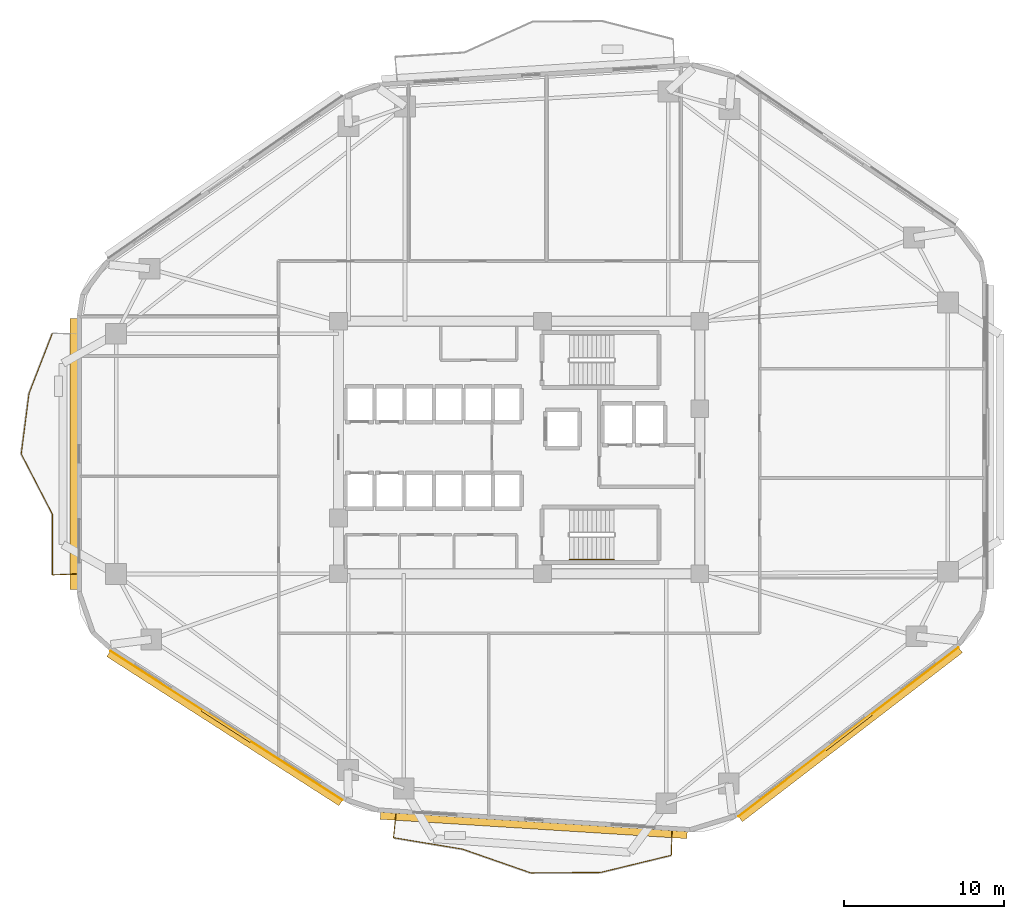
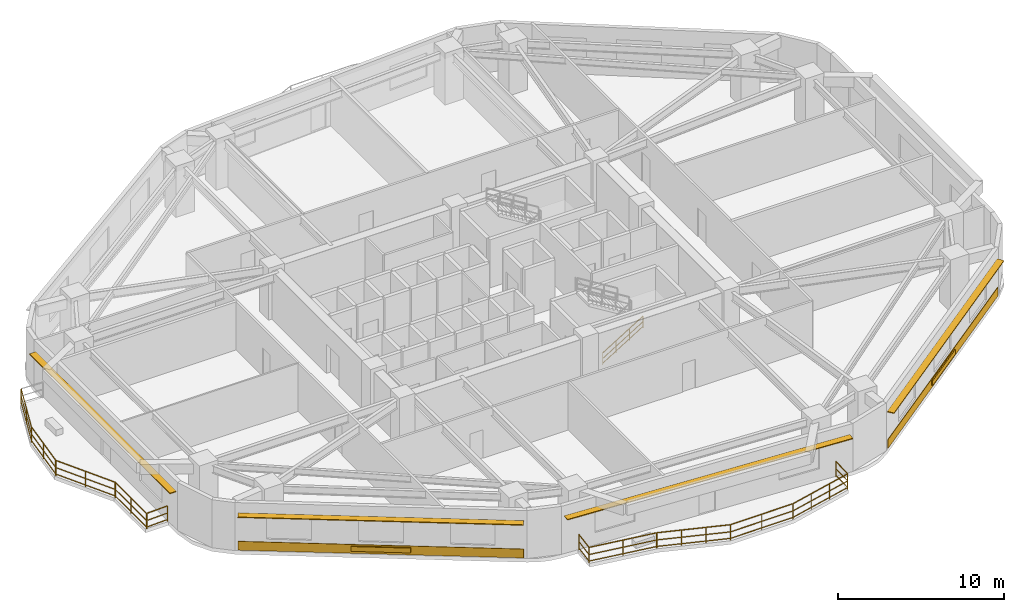
# One storey, part 7 of 9: 12 railings, 6 shading devices, 2 coverings.
"""IFC4 building model written with IfcOpenShell, lengths in metres."""

from ifc_helpers import new_model, si_unit, direction, frame, origin, origin_2d, place, context, subcontext, project, spatial, rectangle, extrude, material, layer, layer_set, type_object, element, save


model = new_model("IFC4")

# Units and contexts
model_context = context("Model", 3, precision=1e-05, world=origin(), true_north=direction((0.0, 1.0)))
body_context = subcontext(model_context, "Body", "Model", "MODEL_VIEW")
ifc_project = project(units=[si_unit("LENGTHUNIT", "METRE"), si_unit("AREAUNIT", "SQUARE_METRE"), si_unit("VOLUMEUNIT", "CUBIC_METRE"), si_unit("PLANEANGLEUNIT", "RADIAN"), si_unit("MASSUNIT", "GRAM", prefix="KILO")], contexts=[model_context])

# Site, building, storey
site_placement = place(None, origin())
site = spatial("IfcSite", under=ifc_project, at=site_placement, CompositionType="ELEMENT")
building_placement = place(site_placement, origin())
building = spatial("IfcBuilding", under=site, at=building_placement, Name="Zulverin Broadcast Headquarters", CompositionType="ELEMENT")
storey_placement = place(building_placement, frame((0.0, 0.0, 51.60009765625)))
storey = spatial("IfcBuildingStorey", under=building, at=storey_placement, Name="L12", CompositionType="ELEMENT", Elevation=51.60009765625)

# Coverings
ifc_material_1 = material(Name="Brushed pale-aluminium rainscreen cladding", Category="aluminium")
ifc_layer_1 = layer(ifc_material_1, 0.0400390625, Name="Brushed pale-aluminium rainscreen cladding", Category="aluminium")
ifc_layer_set_1 = layer_set([ifc_layer_1], Name="Brushed pale-aluminium rainscreen cladding")
covering_type = type_object("IfcCoveringType", Name="COV-CLAD-PALE", PredefinedType="CLADDING", material=ifc_layer_set_1)
covering_1_placement = place(storey_placement, frame((57.542724609375, 7.448974609375, 0.054931640625), z_axis=(0.0, 0.0, 1.0), x_axis=(0.792933468586, 0.609308226102, 0.0)))
element("IfcCovering", 1, at=covering_1_placement, inside=storey, type_object=covering_type, Name="L12 Brushed Pale-Aluminium Spandrel Cladding 2", PredefinedType="CLADDING", context=body_context, shape_type="SweptSolid", body=[
    extrude(rectangle(XDim=17.312744140625, YDim=0.0400390625, at=origin_2d()), origin(), (0.0, 0.0, 1.0), 0.64990234375),
])
covering_2_placement = place(storey_placement, frame((18.732666015625, 7.84130859375, 0.054931640625), z_axis=(0.0, 0.0, 1.0), x_axis=(0.841296678234, -0.540573676007, 0.0)))
element("IfcCovering", 2, at=covering_2_placement, inside=storey, type_object=covering_type, Name="L12 Brushed Pale-Aluminium Spandrel Cladding 8", PredefinedType="CLADDING", context=body_context, shape_type="SweptSolid", body=[
    extrude(rectangle(XDim=17.2119140625, YDim=0.0400390625, at=origin_2d()), origin(), (0.0, 0.0, 1.0), 0.64990234375),
])

# Railings
ifc_material_2 = material(Name="Brushed stainless steel & laminated glass balustrade", Category="steel")
railing_type_1 = type_object("IfcRailingType", Name="RL-GUARD-1150", PredefinedType="GUARDRAIL", material=ifc_material_2)
railing_1_placement = place(storey_placement, frame((7.87451171875, 32.330322265625, 0.0)))
element("IfcRailing", 3, at=railing_1_placement, inside=storey, type_object=railing_type_1, Name="L12 Vertical-Forest Balcony Guardrail BAL_W Segment 02", PredefinedType="GUARDRAIL", context=body_context, shape_type="SweptSolid", body=[
    extrude(rectangle(XDim=0.048095703125, YDim=0.048095703125, at=origin_2d()), frame((0.0, 0.0, 1.1259765625), z_axis=(-0.361936205259, -0.93220286597, 0.0), x_axis=(0.93220286597, -0.361936205259, 0.0)), (0.0, 0.0, 1.0), 4.01953125),
    extrude(rectangle(XDim=0.0419921875, YDim=0.0419921875, at=origin_2d()), frame((0.0, 0.0, 0.597900390625), z_axis=(-0.361936205259, -0.93220286597, 0.0), x_axis=(0.93220286597, -0.361936205259, 0.0)), (0.0, 0.0, 1.0), 4.01953125),
    extrude(rectangle(XDim=0.0419921875, YDim=0.0419921875, at=origin_2d()), frame((0.0, 0.0, 0.1201171875), z_axis=(-0.361936205259, -0.93220286597, 0.0), x_axis=(0.93220286597, -0.361936205259, 0.0)), (0.0, 0.0, 1.0), 4.01953125),
    extrude(rectangle(XDim=0.0419921875, YDim=0.0419921875, at=origin_2d()), origin(), (0.0, 0.0, 1.0), 1.101806640625),
    extrude(rectangle(XDim=0.0419921875, YDim=0.0419921875, at=origin_2d()), frame((-0.7275390625, -1.87353515625, 0.0)), (0.0, 0.0, 1.0), 1.101806640625),
    extrude(rectangle(XDim=0.0419921875, YDim=0.0419921875, at=origin_2d()), frame((-1.454833984375, -3.7470703125, 0.0)), (0.0, 0.0, 1.0), 1.101806640625),
])
railing_2_placement = place(storey_placement, frame((6.412353515625, 28.55419921875, 0.0)))
element("IfcRailing", 4, at=railing_2_placement, inside=storey, type_object=railing_type_1, Name="L12 Vertical-Forest Balcony Guardrail BAL_W Segment 03", PredefinedType="GUARDRAIL", context=body_context, shape_type="SweptSolid", body=[
    extrude(rectangle(XDim=0.048095703125, YDim=0.048095703125, at=origin_2d()), frame((0.0, 0.0, 1.1259765625), z_axis=(-0.127240973143, -0.991871833834, 0.0), x_axis=(0.991871833834, -0.127240973143, 0.0)), (0.0, 0.0, 1.0), 3.776123046875),
    extrude(rectangle(XDim=0.0419921875, YDim=0.0419921875, at=origin_2d()), frame((0.0, 0.0, 0.597900390625), z_axis=(-0.127240973143, -0.991871833834, 0.0), x_axis=(0.991871833834, -0.127240973143, 0.0)), (0.0, 0.0, 1.0), 3.776123046875),
    extrude(rectangle(XDim=0.0419921875, YDim=0.0419921875, at=origin_2d()), frame((0.0, 0.0, 0.1201171875), z_axis=(-0.127240973143, -0.991871833834, 0.0), x_axis=(0.991871833834, -0.127240973143, 0.0)), (0.0, 0.0, 1.0), 3.776123046875),
    extrude(rectangle(XDim=0.0419921875, YDim=0.0419921875, at=origin_2d()), origin(), (0.0, 0.0, 1.0), 1.101806640625),
    extrude(rectangle(XDim=0.0419921875, YDim=0.0419921875, at=origin_2d()), frame((-0.240234375, -1.87255859375, 0.0)), (0.0, 0.0, 1.0), 1.101806640625),
    extrude(rectangle(XDim=0.0419921875, YDim=0.0419921875, at=origin_2d()), frame((-0.48046875, -3.745361328125, 0.0)), (0.0, 0.0, 1.0), 1.101806640625),
])
railing_3_placement = place(storey_placement, frame((5.93701171875, 24.78076171875, 0.0)))
element("IfcRailing", 5, at=railing_3_placement, inside=storey, type_object=railing_type_1, Name="L12 Vertical-Forest Balcony Guardrail BAL_W Segment 04", PredefinedType="GUARDRAIL", context=body_context, shape_type="SweptSolid", body=[
    extrude(rectangle(XDim=0.048095703125, YDim=0.048095703125, at=origin_2d()), frame((0.0, 0.0, 1.1259765625), z_axis=(0.458863997648, -0.888506517513, 0.0), x_axis=(0.888506517513, 0.458863997648, 0.0)), (0.0, 0.0, 1.0), 4.21923828125),
    extrude(rectangle(XDim=0.0419921875, YDim=0.0419921875, at=origin_2d()), frame((0.0, 0.0, 0.597900390625), z_axis=(0.458863997648, -0.888506517513, 0.0), x_axis=(0.888506517513, 0.458863997648, 0.0)), (0.0, 0.0, 1.0), 4.21923828125),
    extrude(rectangle(XDim=0.0419921875, YDim=0.0419921875, at=origin_2d()), frame((0.0, 0.0, 0.1201171875), z_axis=(0.458863997648, -0.888506517513, 0.0), x_axis=(0.888506517513, 0.458863997648, 0.0)), (0.0, 0.0, 1.0), 4.21923828125),
    extrude(rectangle(XDim=0.0419921875, YDim=0.0419921875, at=origin_2d()), origin(), (0.0, 0.0, 1.0), 1.101806640625),
    extrude(rectangle(XDim=0.0419921875, YDim=0.0419921875, at=origin_2d()), frame((0.968017578125, -1.87451171875, 0.0)), (0.0, 0.0, 1.0), 1.101806640625),
    extrude(rectangle(XDim=0.0419921875, YDim=0.0419921875, at=origin_2d()), frame((1.93603515625, -3.748779296875, 0.0)), (0.0, 0.0, 1.0), 1.101806640625),
])
railing_4_placement = place(storey_placement, frame((7.8798828125, 21.00390625, 0.0)))
element("IfcRailing", 6, at=railing_4_placement, inside=storey, type_object=railing_type_1, Name="L12 Vertical-Forest Balcony Guardrail BAL_W Segment 05", PredefinedType="GUARDRAIL", context=body_context, shape_type="SweptSolid", body=[
    extrude(rectangle(XDim=0.048095703125, YDim=0.048095703125, at=origin_2d()), frame((0.0, 0.0, 1.1259765625), z_axis=(0.0, -1.0, 0.0), x_axis=(1.0, 0.0, 0.0)), (0.0, 0.0, 1.0), 3.745361328125),
    extrude(rectangle(XDim=0.0419921875, YDim=0.0419921875, at=origin_2d()), frame((0.0, 0.0, 0.597900390625), z_axis=(0.0, -1.0, 0.0), x_axis=(1.0, 0.0, 0.0)), (0.0, 0.0, 1.0), 3.745361328125),
    extrude(rectangle(XDim=0.0419921875, YDim=0.0419921875, at=origin_2d()), frame((0.0, 0.0, 0.1201171875), z_axis=(0.0, -1.0, 0.0), x_axis=(1.0, 0.0, 0.0)), (0.0, 0.0, 1.0), 3.745361328125),
    extrude(rectangle(XDim=0.0419921875, YDim=0.0419921875, at=origin_2d()), origin(), (0.0, 0.0, 1.0), 1.101806640625),
    extrude(rectangle(XDim=0.0419921875, YDim=0.0419921875, at=origin_2d()), frame((0.0, -1.87255859375, 0.0)), (0.0, 0.0, 1.0), 1.101806640625),
    extrude(rectangle(XDim=0.0419921875, YDim=0.0419921875, at=origin_2d()), frame((0.0, -3.745361328125, 0.0)), (0.0, 0.0, 1.0), 1.101806640625),
])
railing_5_placement = place(storey_placement, frame((7.89501953125, 17.244140625, 0.0)))
element("IfcRailing", 7, at=railing_5_placement, inside=storey, type_object=railing_type_1, Name="L12 Vertical-Forest Balcony Guardrail BAL_W Segment 06", PredefinedType="GUARDRAIL", context=body_context, shape_type="SweptSolid", body=[
    extrude(rectangle(XDim=0.048095703125, YDim=0.048095703125, at=origin_2d()), frame((0.0, 0.0, 1.1259765625), z_axis=(0.999174410196, 0.040626321628, 0.0), x_axis=(-0.040626321628, 0.999174410196, 0.0)), (0.0, 0.0, 1.0), 1.46630859375),
    extrude(rectangle(XDim=0.0419921875, YDim=0.0419921875, at=origin_2d()), frame((0.0, 0.0, 0.597900390625), z_axis=(0.999174410196, 0.040626321628, 0.0), x_axis=(-0.040626321628, 0.999174410196, 0.0)), (0.0, 0.0, 1.0), 1.46630859375),
    extrude(rectangle(XDim=0.0419921875, YDim=0.0419921875, at=origin_2d()), frame((0.0, 0.0, 0.1201171875), z_axis=(0.999174410196, 0.040626321628, 0.0), x_axis=(-0.040626321628, 0.999174410196, 0.0)), (0.0, 0.0, 1.0), 1.46630859375),
    extrude(rectangle(XDim=0.0419921875, YDim=0.0419921875, at=origin_2d()), origin(), (0.0, 0.0, 1.0), 1.101806640625),
    extrude(rectangle(XDim=0.0419921875, YDim=0.0419921875, at=origin_2d()), frame((1.465087890625, 0.0595703125, 0.0)), (0.0, 0.0, 1.0), 1.101806640625),
])
railing_6_placement = place(storey_placement, frame((29.3076171875, 2.318603515625, 0.0)))
element("IfcRailing", 8, at=railing_6_placement, inside=storey, type_object=railing_type_1, Name="L12 Vertical-Forest Balcony Guardrail BAL_S Segment 01", PredefinedType="GUARDRAIL", context=body_context, shape_type="SweptSolid", body=[
    extrude(rectangle(XDim=0.048095703125, YDim=0.048095703125, at=origin_2d()), frame((0.0, 0.0, 1.1259765625), z_axis=(-0.103228615139, -0.99465765619, 0.0), x_axis=(0.99465765619, -0.103228615139, 0.0)), (0.0, 0.0, 1.0), 1.46630859375),
    extrude(rectangle(XDim=0.0419921875, YDim=0.0419921875, at=origin_2d()), frame((0.0, 0.0, 0.597900390625), z_axis=(-0.103228615139, -0.99465765619, 0.0), x_axis=(0.99465765619, -0.103228615139, 0.0)), (0.0, 0.0, 1.0), 1.46630859375),
    extrude(rectangle(XDim=0.0419921875, YDim=0.0419921875, at=origin_2d()), frame((0.0, 0.0, 0.1201171875), z_axis=(-0.103228615139, -0.99465765619, 0.0), x_axis=(0.99465765619, -0.103228615139, 0.0)), (0.0, 0.0, 1.0), 1.46630859375),
    extrude(rectangle(XDim=0.0419921875, YDim=0.0419921875, at=origin_2d()), origin(), (0.0, 0.0, 1.0), 1.101806640625),
    extrude(rectangle(XDim=0.0419921875, YDim=0.0419921875, at=origin_2d()), frame((-0.1513671875, -1.45849609375, 0.0)), (0.0, 0.0, 1.0), 1.101806640625),
])
railing_7_placement = place(storey_placement, frame((29.16943359375, 0.8427734375, 0.0)))
element("IfcRailing", 9, at=railing_7_placement, inside=storey, type_object=railing_type_1, Name="L12 Vertical-Forest Balcony Guardrail BAL_S Segment 02", PredefinedType="GUARDRAIL", context=body_context, shape_type="SweptSolid", body=[
    extrude(rectangle(XDim=0.048095703125, YDim=0.048095703125, at=origin_2d()), frame((0.0, 0.0, 1.1259765625), z_axis=(0.986654406781, -0.162828380758, 0.0), x_axis=(0.162828380758, 0.986654406781, 0.0)), (0.0, 0.0, 1.0), 4.336181640625),
    extrude(rectangle(XDim=0.0419921875, YDim=0.0419921875, at=origin_2d()), frame((0.0, 0.0, 0.597900390625), z_axis=(0.986654406781, -0.162828380758, 0.0), x_axis=(0.162828380758, 0.986654406781, 0.0)), (0.0, 0.0, 1.0), 4.336181640625),
    extrude(rectangle(XDim=0.0419921875, YDim=0.0419921875, at=origin_2d()), frame((0.0, 0.0, 0.1201171875), z_axis=(0.986654406781, -0.162828380758, 0.0), x_axis=(0.162828380758, 0.986654406781, 0.0)), (0.0, 0.0, 1.0), 4.336181640625),
    extrude(rectangle(XDim=0.0419921875, YDim=0.0419921875, at=origin_2d()), origin(), (0.0, 0.0, 1.0), 1.101806640625),
    extrude(rectangle(XDim=0.0419921875, YDim=0.0419921875, at=origin_2d()), frame((2.13916015625, -0.35302734375, 0.0)), (0.0, 0.0, 1.0), 1.101806640625),
    extrude(rectangle(XDim=0.0419921875, YDim=0.0419921875, at=origin_2d()), frame((4.2783203125, -0.7060546875, 0.0)), (0.0, 0.0, 1.0), 1.101806640625),
])
railing_8_placement = place(storey_placement, frame((33.476806640625, 0.12939453125, 0.0)))
element("IfcRailing", 10, at=railing_8_placement, inside=storey, type_object=railing_type_1, Name="L12 Vertical-Forest Balcony Guardrail BAL_S Segment 03", PredefinedType="GUARDRAIL", context=body_context, shape_type="SweptSolid", body=[
    extrude(rectangle(XDim=0.048095703125, YDim=0.048095703125, at=origin_2d()), frame((0.0, 0.0, 1.1259765625), z_axis=(0.944409276132, -0.328772138656, 0.0), x_axis=(0.328772138656, 0.944409276132, 0.0)), (0.0, 0.0, 1.0), 4.47998046875),
    extrude(rectangle(XDim=0.0419921875, YDim=0.0419921875, at=origin_2d()), frame((0.0, 0.0, 0.597900390625), z_axis=(0.944409276132, -0.328772138656, 0.0), x_axis=(0.328772138656, 0.944409276132, 0.0)), (0.0, 0.0, 1.0), 4.47998046875),
    extrude(rectangle(XDim=0.0419921875, YDim=0.0419921875, at=origin_2d()), frame((0.0, 0.0, 0.1201171875), z_axis=(0.944409276132, -0.328772138656, 0.0), x_axis=(0.328772138656, 0.944409276132, 0.0)), (0.0, 0.0, 1.0), 4.47998046875),
    extrude(rectangle(XDim=0.0419921875, YDim=0.0419921875, at=origin_2d()), origin(), (0.0, 0.0, 1.0), 1.101806640625),
    extrude(rectangle(XDim=0.0419921875, YDim=0.0419921875, at=origin_2d()), frame((1.410400390625, -0.490966796875, 0.0)), (0.0, 0.0, 1.0), 1.101806640625),
    extrude(rectangle(XDim=0.0419921875, YDim=0.0419921875, at=origin_2d()), frame((2.820556640625, -0.98193359375, 0.0)), (0.0, 0.0, 1.0), 1.101806640625),
    extrude(rectangle(XDim=0.0419921875, YDim=0.0419921875, at=origin_2d()), frame((4.23095703125, -1.472900390625, 0.0)), (0.0, 0.0, 1.0), 1.101806640625),
])
railing_9_placement = place(storey_placement, frame((37.737060546875, -1.348388671875, 0.0)))
element("IfcRailing", 11, at=railing_9_placement, inside=storey, type_object=railing_type_1, Name="L12 Vertical-Forest Balcony Guardrail BAL_S Segment 04", PredefinedType="GUARDRAIL", context=body_context, shape_type="SweptSolid", body=[
    extrude(rectangle(XDim=0.048095703125, YDim=0.048095703125, at=origin_2d()), frame((0.0, 0.0, 1.1259765625), z_axis=(0.999981066695, 0.006153555935, 0.0), x_axis=(-0.006153555935, 0.999981066695, 0.0)), (0.0, 0.0, 1.0), 4.324462890625),
    extrude(rectangle(XDim=0.0419921875, YDim=0.0419921875, at=origin_2d()), frame((0.0, 0.0, 0.597900390625), z_axis=(0.999981066695, 0.006153555935, 0.0), x_axis=(-0.006153555935, 0.999981066695, 0.0)), (0.0, 0.0, 1.0), 4.324462890625),
    extrude(rectangle(XDim=0.0419921875, YDim=0.0419921875, at=origin_2d()), frame((0.0, 0.0, 0.1201171875), z_axis=(0.999981066695, 0.006153555935, 0.0), x_axis=(-0.006153555935, 0.999981066695, 0.0)), (0.0, 0.0, 1.0), 4.324462890625),
    extrude(rectangle(XDim=0.0419921875, YDim=0.0419921875, at=origin_2d()), origin(), (0.0, 0.0, 1.0), 1.101806640625),
    extrude(rectangle(XDim=0.0419921875, YDim=0.0419921875, at=origin_2d()), frame((2.162109375, 0.01318359375, 0.0)), (0.0, 0.0, 1.0), 1.101806640625),
    extrude(rectangle(XDim=0.0419921875, YDim=0.0419921875, at=origin_2d()), frame((4.324462890625, 0.026611328125, 0.0)), (0.0, 0.0, 1.0), 1.101806640625),
])
railing_10_placement = place(storey_placement, frame((42.091064453125, -1.318115234375, 0.0)))
element("IfcRailing", 12, at=railing_10_placement, inside=storey, type_object=railing_type_1, Name="L12 Vertical-Forest Balcony Guardrail BAL_S Segment 05", PredefinedType="GUARDRAIL", context=body_context, shape_type="SweptSolid", body=[
    extrude(rectangle(XDim=0.048095703125, YDim=0.048095703125, at=origin_2d()), frame((0.0, 0.0, 1.1259765625), z_axis=(0.971781840166, 0.23588144294, 0.0), x_axis=(-0.23588144294, 0.971781840166, 0.0)), (0.0, 0.0, 1.0), 4.518798828125),
    extrude(rectangle(XDim=0.0419921875, YDim=0.0419921875, at=origin_2d()), frame((0.0, 0.0, 0.597900390625), z_axis=(0.971781840166, 0.23588144294, 0.0), x_axis=(-0.23588144294, 0.971781840166, 0.0)), (0.0, 0.0, 1.0), 4.518798828125),
    extrude(rectangle(XDim=0.0419921875, YDim=0.0419921875, at=origin_2d()), frame((0.0, 0.0, 0.1201171875), z_axis=(0.971781840166, 0.23588144294, 0.0), x_axis=(-0.23588144294, 0.971781840166, 0.0)), (0.0, 0.0, 1.0), 4.518798828125),
    extrude(rectangle(XDim=0.0419921875, YDim=0.0419921875, at=origin_2d()), origin(), (0.0, 0.0, 1.0), 1.101806640625),
    extrude(rectangle(XDim=0.0419921875, YDim=0.0419921875, at=origin_2d()), frame((1.4638671875, 0.355224609375, 0.0)), (0.0, 0.0, 1.0), 1.101806640625),
    extrude(rectangle(XDim=0.0419921875, YDim=0.0419921875, at=origin_2d()), frame((2.927490234375, 0.710693359375, 0.0)), (0.0, 0.0, 1.0), 1.101806640625),
    extrude(rectangle(XDim=0.0419921875, YDim=0.0419921875, at=origin_2d()), frame((4.391357421875, 1.06591796875, 0.0)), (0.0, 0.0, 1.0), 1.101806640625),
])
railing_11_placement = place(storey_placement, frame((46.497314453125, -0.233642578125, 0.0)))
element("IfcRailing", 13, at=railing_11_placement, inside=storey, type_object=railing_type_1, Name="L12 Vertical-Forest Balcony Guardrail BAL_S Segment 06", PredefinedType="GUARDRAIL", context=body_context, shape_type="SweptSolid", body=[
    extrude(rectangle(XDim=0.048095703125, YDim=0.048095703125, at=origin_2d()), frame((0.0, 0.0, 1.1259765625), z_axis=(0.022641987457, 0.999743637341, 0.0), x_axis=(-0.999743637341, 0.022641987457, 0.0)), (0.0, 0.0, 1.0), 1.466552734375),
    extrude(rectangle(XDim=0.0419921875, YDim=0.0419921875, at=origin_2d()), frame((0.0, 0.0, 0.597900390625), z_axis=(0.022641987457, 0.999743637341, 0.0), x_axis=(-0.999743637341, 0.022641987457, 0.0)), (0.0, 0.0, 1.0), 1.466552734375),
    extrude(rectangle(XDim=0.0419921875, YDim=0.0419921875, at=origin_2d()), frame((0.0, 0.0, 0.1201171875), z_axis=(0.022641987457, 0.999743637341, 0.0), x_axis=(-0.999743637341, 0.022641987457, 0.0)), (0.0, 0.0, 1.0), 1.466552734375),
    extrude(rectangle(XDim=0.0419921875, YDim=0.0419921875, at=origin_2d()), origin(), (0.0, 0.0, 1.0), 1.101806640625),
    extrude(rectangle(XDim=0.0419921875, YDim=0.0419921875, at=origin_2d()), frame((0.033203125, 1.466064453125, 0.0)), (0.0, 0.0, 1.0), 1.101806640625),
])
ifc_material_3 = material(Name="Brushed stainless steel 48 mm handrail", Category="steel")
railing_type_2 = type_object("IfcRailingType", Name="RL-ST-HAND", PredefinedType="HANDRAIL", material=ifc_material_3)
railing_12_placement = place(storey_placement, frame((40.1298828125, 18.199951171875, 0.172607421875)))
element("IfcRailing", 14, at=railing_12_placement, inside=storey, type_object=railing_type_2, Name="L12 ST-2 stair handrail 1", PredefinedType="HANDRAIL", context=body_context, shape_type="SweptSolid", body=[
    extrude(rectangle(XDim=0.048095703125, YDim=0.048095703125, at=origin_2d()), frame((0.0, 0.0, 0.8759765625), z_axis=(0.851089632645, 0.0, 0.525020415988), x_axis=(0.0, 1.0, 0.0)), (0.0, 0.0, 1.0), 3.2900390625),
    extrude(rectangle(XDim=0.0419921875, YDim=0.0419921875, at=origin_2d()), frame((0.0, 0.0, 0.468017578125), z_axis=(0.851089632645, 0.0, 0.525020415988), x_axis=(0.0, 1.0, 0.0)), (0.0, 0.0, 1.0), 3.2900390625),
    extrude(rectangle(XDim=0.0419921875, YDim=0.0419921875, at=origin_2d()), frame((0.0, 0.0, 0.1201171875), z_axis=(0.851089632645, 0.0, 0.525020415988), x_axis=(0.0, 1.0, 0.0)), (0.0, 0.0, 1.0), 3.2900390625),
    extrude(rectangle(XDim=0.0419921875, YDim=0.0419921875, at=origin_2d()), origin(), (0.0, 0.0, 1.0), 0.851806640625),
    extrude(rectangle(XDim=0.0419921875, YDim=0.0419921875, at=origin_2d()), frame((0.933349609375, 0.0, 0.57568359375)), (0.0, 0.0, 1.0), 0.851806640625),
    extrude(rectangle(XDim=0.0419921875, YDim=0.0419921875, at=origin_2d()), frame((1.86669921875, 0.0, 1.151611328125)), (0.0, 0.0, 1.0), 0.851806640625),
    extrude(rectangle(XDim=0.0419921875, YDim=0.0419921875, at=origin_2d()), frame((2.800048828125, 0.0, 1.727294921875)), (0.0, 0.0, 1.0), 0.851806640625),
])

# Shading devices
ifc_material_4 = material(Name="Anodized pale-metal aluminium acoustic louvre", Category="aluminium")
shading_device_type_1 = type_object("IfcShadingDeviceType", Name="SHD-LOUVRE-350", PredefinedType="USERDEFINED", material=ifc_material_4)
for number, where, z_axis, x_axis, name in (
    (15, (57.56103515625, 7.425048828125, 0.244873046875), (0.0, 0.0, 1.0), (0.792933468586, 0.609308226102, 0.0), "L12 Spandrel Intake Louvre 2"),
    (16, (18.71630859375, 7.816162109375, 0.244873046875), (0.0, 0.0, 1.0), (0.841296678234, -0.540573676007, 0.0), "L12 Spandrel Intake Louvre 8"),
):
    element("IfcShadingDevice", number, at=place(storey_placement, frame(where, z_axis=z_axis, x_axis=x_axis)), inside=storey, type_object=shading_device_type_1, Name=name, ObjectType="LOUVRE", PredefinedType="USERDEFINED", context=body_context, shape_type="SweptSolid", body=[
        extrude(rectangle(XDim=3.60009765625, YDim=0.1201171875, at=origin_2d()), origin(), (0.0, 0.0, 1.0), 0.35009765625),
    ])
ifc_material_5 = material(Name="Anodized pale-metal aluminium sunshade", Category="aluminium")
ifc_layer_2 = layer(ifc_material_5, 0.06005859375, Name="Anodized pale-metal aluminium sunshade", Category="aluminium")
ifc_layer_set_2 = layer_set([ifc_layer_2], Name="Anodized pale-metal aluminium sunshade")
shading_device_type_2 = type_object("IfcShadingDeviceType", Name="SS-01_PALE_METAL_ALUMINIUM_SUNSHADE", PredefinedType="USERDEFINED", material=ifc_layer_set_2)
shading_device_1_placement = place(storey_placement, frame((37.908935546875, 1.61572265625, 2.7099609375), z_axis=(0.0, 0.0, 1.0), x_axis=(0.998017182581, -0.062942062821, 0.0)))
element("IfcShadingDevice", 17, at=shading_device_1_placement, inside=storey, type_object=shading_device_type_2, Name="L12 Horizontal Pale-Metal Sunshade Band 1", ObjectType="SUNSHADE", PredefinedType="USERDEFINED", context=body_context, shape_type="SweptSolid", body=[
    extrude(rectangle(XDim=19.177001953125, YDim=0.449951171875, at=origin_2d()), origin(), (0.0, 0.0, 1.0), 0.06005859375),
])
shading_device_2_placement = place(storey_placement, frame((57.658447265625, 7.29833984375, 2.7099609375), z_axis=(0.0, 0.0, 1.0), x_axis=(0.792933468586, 0.609308226102, 0.0)))
element("IfcShadingDevice", 18, at=shading_device_2_placement, inside=storey, type_object=shading_device_type_2, Name="L12 Horizontal Pale-Metal Sunshade Band 2", ObjectType="SUNSHADE", PredefinedType="USERDEFINED", context=body_context, shape_type="SweptSolid", body=[
    extrude(rectangle(XDim=17.312744140625, YDim=0.449951171875, at=origin_2d()), origin(), (0.0, 0.0, 1.0), 0.06005859375),
])
shading_device_3_placement = place(storey_placement, frame((9.199951171875, 24.7939453125, 2.7099609375), z_axis=(0.0, 0.0, 1.0), x_axis=(0.0, -1.0, 0.0)))
element("IfcShadingDevice", 19, at=shading_device_3_placement, inside=storey, type_object=shading_device_type_2, Name="L12 Horizontal Pale-Metal Sunshade Band 7", ObjectType="SUNSHADE", PredefinedType="USERDEFINED", context=body_context, shape_type="SweptSolid", body=[
    extrude(rectangle(XDim=16.90087890625, YDim=0.449951171875, at=origin_2d()), origin(), (0.0, 0.0, 1.0), 0.06005859375),
])
shading_device_4_placement = place(storey_placement, frame((18.6298828125, 7.681640625, 2.7099609375), z_axis=(0.0, 0.0, 1.0), x_axis=(0.841296678234, -0.540573676007, 0.0)))
element("IfcShadingDevice", 20, at=shading_device_4_placement, inside=storey, type_object=shading_device_type_2, Name="L12 Horizontal Pale-Metal Sunshade Band 8", ObjectType="SUNSHADE", PredefinedType="USERDEFINED", context=body_context, shape_type="SweptSolid", body=[
    extrude(rectangle(XDim=17.2119140625, YDim=0.449951171875, at=origin_2d()), origin(), (0.0, 0.0, 1.0), 0.06005859375),
])

save(model, "model.ifc")
